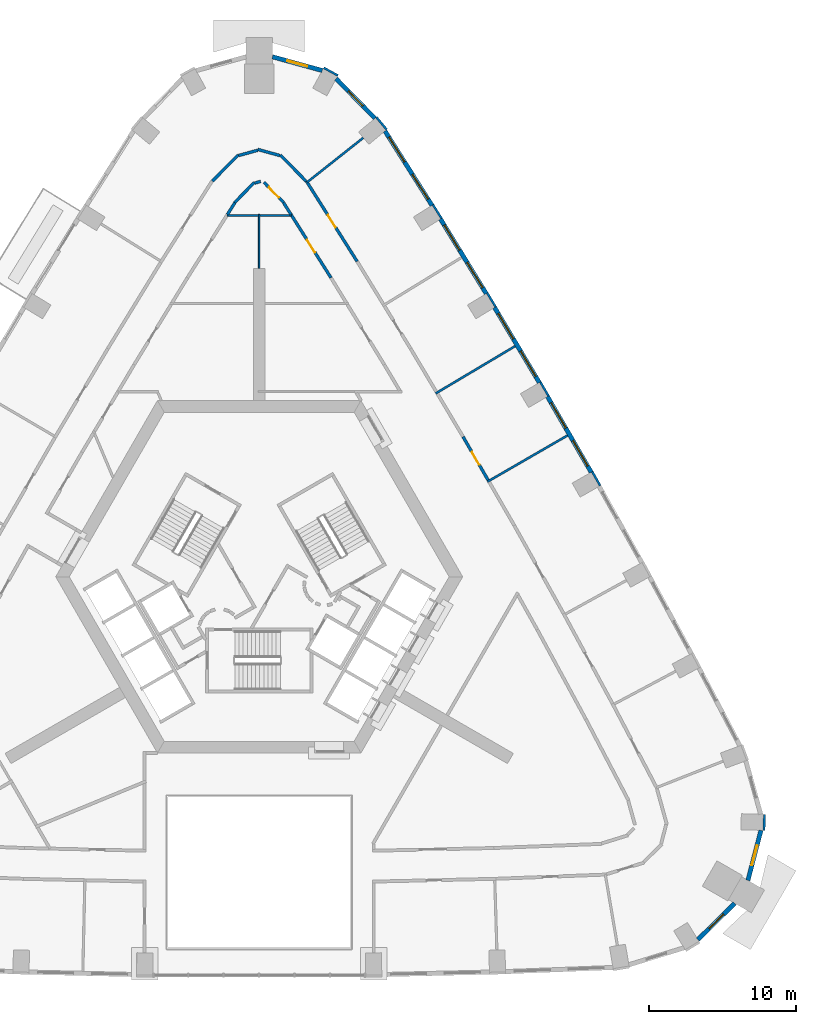
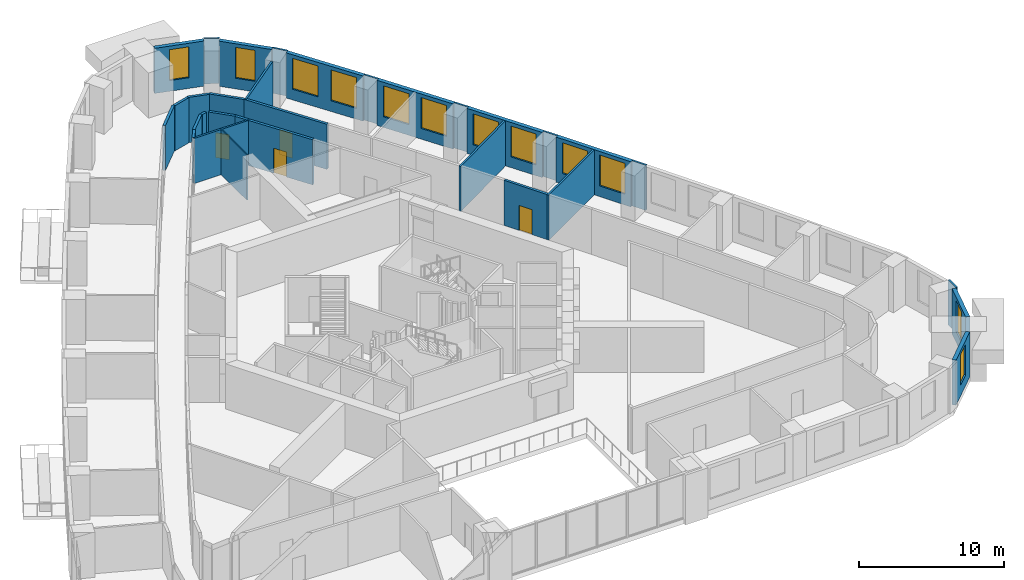
# One storey, part 10 of 14: 33 walls, 12 windows, 4 doors, 16 openings.
"""IFC4 building model written with IfcOpenShell, lengths in metres."""

import ifcopenshell
import ifcopenshell.guid

model = None  # the IFC model being written
_history = None  # IfcOwnerHistory: only IFC2X3 demands one
_inside = {}  # id of a spatial element -> (the spatial element, [elements in it])
_under = {}  # id of a project, library or spatial element -> (it, [spatial elements below it])
_declared = {}  # id of a project -> (the project, [libraries it declares])
_typed = {}  # id of a type object -> (the type object, [elements of that type])
_made_of = {}  # id of a material, layer set ... -> (it, [elements and type objects made of it])


def new_model(schema):
    """Start an empty IFC model of exactly this schema.

    Asked for "IFC4X3", IfcOpenShell would pick the latest addendum, in which some entities
    have other attributes; the version numbers below select the first issue.
    IFC2X3 requires an IfcOwnerHistory on every rooted entity: one is made here for all.
    """
    global model, _history
    if schema == "IFC4X3":
        model = ifcopenshell.file(schema_version=(4, 3, 0, 0))
    else:
        model = ifcopenshell.file(schema=schema)
    _inside.clear()
    _under.clear()
    _declared.clear()
    _typed.clear()
    _made_of.clear()
    _history = None
    if model.schema == "IFC2X3":
        org = make("IfcOrganization", Name="unknown")
        user = make(
            "IfcPersonAndOrganization",
            ThePerson=make("IfcPerson", FamilyName="unknown"),
            TheOrganization=org,
        )
        app = make(
            "IfcApplication",
            ApplicationDeveloper=org,
            Version="unknown",
            ApplicationFullName="unknown",
            ApplicationIdentifier="unknown",
        )
        _history = make(
            "IfcOwnerHistory",
            OwningUser=user,
            OwningApplication=app,
            ChangeAction="ADDED",
            CreationDate=0,
        )
    return model


def make(cls, **values):
    """One entity of the class cls with the attributes given. An attribute that is None is left unset."""
    return model.create_entity(
        cls, **{name: value for name, value in values.items() if value is not None}
    )


def rooted(cls, **values):
    """An entity with a GlobalId (a new one), such as an element, a storey or a relation."""
    return make(cls, GlobalId=ifcopenshell.guid.new(), OwnerHistory=_history, **values)


def si_unit(unit_type, name, prefix=None):
    """IfcSIUnit, for example si_unit("LENGTHUNIT", "METRE", prefix="MILLI")."""
    return make("IfcSIUnit", UnitType=unit_type, Prefix=prefix, Name=name)


def assignment(units):
    """IfcUnitAssignment: the units of a project."""
    return None if units is None else make("IfcUnitAssignment", Units=units)


def point(xyz):
    """IfcCartesianPoint."""
    return None if xyz is None else make("IfcCartesianPoint", Coordinates=xyz)


def direction(xyz):
    """IfcDirection."""
    return None if xyz is None else make("IfcDirection", DirectionRatios=xyz)


def frame(location, z_axis=None, x_axis=None):
    """IfcAxis2Placement3D, a coordinate frame: its origin and axes. An axis left out is left unset."""
    return make(
        "IfcAxis2Placement3D",
        Location=point(location),
        Axis=direction(z_axis),
        RefDirection=direction(x_axis),
    )


def frame_2d(location, x_axis=None):
    """IfcAxis2Placement2D, a coordinate frame in the plane: its origin and x axis."""
    return make(
        "IfcAxis2Placement2D", Location=point(location), RefDirection=direction(x_axis)
    )


def origin():
    """The frame at (0, 0, 0) with its axes left unset."""
    return frame((0.0, 0.0, 0.0))


def place(relative_to, where):
    """IfcLocalPlacement: puts the frame where relative to a parent placement (None: the world)."""
    return make(
        "IfcLocalPlacement", PlacementRelTo=relative_to, RelativePlacement=where
    )


def context(
    kind, dimensions, precision=None, world=None, true_north=None, identifier=None
):
    """IfcGeometricRepresentationContext, for example the 3D "Model" context."""
    return make(
        "IfcGeometricRepresentationContext",
        ContextIdentifier=identifier,
        ContextType=kind,
        CoordinateSpaceDimension=dimensions,
        Precision=precision,
        WorldCoordinateSystem=world,
        TrueNorth=true_north,
    )


def subcontext(parent, identifier, kind, view, scale=None):
    """IfcGeometricRepresentationSubContext, for example "Body" below "Model"."""
    return make(
        "IfcGeometricRepresentationSubContext",
        ContextIdentifier=identifier,
        ContextType=kind,
        ParentContext=parent,
        TargetScale=scale,
        TargetView=view,
    )


def project(units=None, contexts=None):
    """IfcProject with its units and contexts."""
    return rooted(
        "IfcProject",
        Name="project",
        RepresentationContexts=contexts,
        UnitsInContext=assignment(units),
    )


def spatial(cls, under=None, at=None, **own):
    """A site, building, storey or space (cls), placed at a placement, below another one or the project."""
    s = rooted(cls, ObjectPlacement=at, **own)
    if under is not None:
        _under.setdefault(under.id(), (under, []))[1].append(s)
    return s


def profile(cls, at=None, kind="AREA", **sizes):
    """A parametric profile (cls). Its sizes go by their IFC names, for example OverallWidth=200.0."""
    return make(cls, ProfileType=kind, Position=at, **sizes)


def rectangle(**sizes):
    """IfcRectangleProfileDef."""
    return profile("IfcRectangleProfileDef", **sizes)


def extrude(swept, where, along, depth):
    """IfcExtrudedAreaSolid: the profile swept, set in the frame where, extruded along a direction by depth."""
    return make(
        "IfcExtrudedAreaSolid",
        SweptArea=swept,
        Position=where,
        ExtrudedDirection=direction(along),
        Depth=depth,
    )


def shape(context_of_items, identifier, shape_type, items):
    """IfcShapeRepresentation: the items that make up one representation, for example the "Body"."""
    return make(
        "IfcShapeRepresentation",
        ContextOfItems=context_of_items,
        RepresentationIdentifier=identifier,
        RepresentationType=shape_type,
        Items=items,
    )


def material(Name=None, Category=None):
    """IfcMaterial."""
    return make("IfcMaterial", Name=Name, Category=Category)


def layer(
    of_material, thickness, ventilated=None, Name=None, Category=None, Priority=None
):
    """IfcMaterialLayer: one layer of a wall or slab, of a material (None: an air gap)."""
    return make(
        "IfcMaterialLayer",
        Material=of_material,
        LayerThickness=thickness,
        IsVentilated=ventilated,
        Name=Name,
        Category=Category,
        Priority=Priority,
    )


def layer_set(layers, Name=None):
    """IfcMaterialLayerSet."""
    return make("IfcMaterialLayerSet", MaterialLayers=layers, LayerSetName=Name)


def made_of(thing, what):
    """Note that an element or type object is made of a material, layer set ...; save() writes the relation."""
    if what is not None:
        _made_of.setdefault(what.id(), (what, []))[1].append(thing)
    return thing


def type_object(cls, material=None, **own):
    """A type object (cls), such as IfcWallType, which elements share."""
    return made_of(rooted(cls, **own), material)


def element(
    cls,
    number,
    at=None,
    inside=None,
    cuts=None,
    type_object=None,
    material=None,
    context=None,
    identifier="Body",
    shape_type=None,
    held_by="IfcProductDefinitionShape",
    body=None,
    shapes=None,
    **own,
):
    """One element of the class cls, such as IfcWall. Its Tag is "e" and its number.

    at: its placement. inside: the storey or other place that contains it. cuts: it is an
    opening in that element (IfcRelVoidsElement). A single representation is given by context,
    identifier, shape_type and body (its items); several are given by shapes. held_by: the class
    of the entity that holds the representations. save() writes the other relations.
    """
    e = rooted(cls, Tag="e%d" % number, ObjectPlacement=at, **own)
    if body is not None:
        shapes = [shape(context, identifier, shape_type, body)]
    if shapes is not None:
        e.Representation = make(held_by, Representations=shapes)
    if inside is not None:
        _inside.setdefault(inside.id(), (inside, []))[1].append(e)
    if cuts is not None:
        rooted(
            "IfcRelVoidsElement", RelatingBuildingElement=cuts, RelatedOpeningElement=e
        )
    if type_object is not None:
        _typed.setdefault(type_object.id(), (type_object, []))[1].append(e)
    return made_of(e, material)


def fill(opening, filler):
    """IfcRelFillsElement: the door or window that sits in an opening."""
    return rooted(
        "IfcRelFillsElement",
        RelatingOpeningElement=opening,
        RelatedBuildingElement=filler,
    )


def aggregate(whole, parts):
    """IfcRelAggregates: a whole, such as a stair, and the parts it consists of."""
    return rooted("IfcRelAggregates", RelatingObject=whole, RelatedObjects=parts)


def save(model, path):
    """Write the relations noted so far, then the file.

    IfcRelAggregates (storeys below a building ...), IfcRelContainedInSpatialStructure (elements
    in a storey), IfcRelDefinesByType, IfcRelAssociatesMaterial and IfcRelDeclares: one each for
    every whole, place, type object, material and project.
    """
    for whole, parts in _under.values():
        aggregate(whole, parts)
    for where, things in _inside.values():
        rooted(
            "IfcRelContainedInSpatialStructure",
            RelatedElements=things,
            RelatingStructure=where,
        )
    for kind, things in _typed.values():
        rooted("IfcRelDefinesByType", RelatedObjects=things, RelatingType=kind)
    for what, things in _made_of.values():
        rooted("IfcRelAssociatesMaterial", RelatedObjects=things, RelatingMaterial=what)
    for by, libraries in _declared.values():
        rooted("IfcRelDeclares", RelatingContext=by, RelatedDefinitions=libraries)
    model.write(path)


model = new_model("IFC4")

# Units and contexts
model_context = context("Model", 3, precision=1e-05, world=origin(), true_north=direction((0.0, 1.0)))
body_context = subcontext(model_context, "Body", "Model", "MODEL_VIEW")
ifc_project = project(units=[si_unit("LENGTHUNIT", "METRE"), si_unit("AREAUNIT", "SQUARE_METRE"), si_unit("VOLUMEUNIT", "CUBIC_METRE"), si_unit("PLANEANGLEUNIT", "RADIAN"), si_unit("MASSUNIT", "GRAM", prefix="KILO")], contexts=[model_context])

# Site, building, storey
site_placement = place(None, origin())
site = spatial("IfcSite", under=ifc_project, at=site_placement, CompositionType="ELEMENT")
building_placement = place(site_placement, origin())
building = spatial("IfcBuilding", under=site, at=building_placement, Name="Entoto Arch Interchange Tower", CompositionType="ELEMENT")
storey_placement = place(building_placement, frame((0.0, 0.0, 159.199951171875)))
storey = spatial("IfcBuildingStorey", under=building, at=storey_placement, Name="L35", CompositionType="ELEMENT", Elevation=159.199951171875)

# Walls
ifc_material_1 = material(Name="Gypsum board partition on steel studs", Category="steel")
ifc_layer_1 = layer(ifc_material_1, 0.10009765625)
ifc_layer_set_1 = layer_set([ifc_layer_1], Name="Gypsum board partition on steel studs")
wall_type_1 = type_object("IfcWallType", Name="PARTITION 100", PredefinedType="PARTITIONING", material=ifc_layer_set_1)
wall_1_placement = place(storey_placement, frame((0.0, 23.5, 0.0), z_axis=(0.0, 0.0, 1.0), x_axis=(0.0, 1.0, 0.0)))
element("IfcWall", 1, at=wall_1_placement, inside=storey, type_object=wall_type_1, Name="wall:L35:p115", PredefinedType="PARTITIONING", context=body_context, shape_type="SweptSolid", body=[
    extrude(rectangle(XDim=3.675048828125, YDim=0.10009765625, at=frame_2d((1.83740234375, 0.0))), origin(), (0.0, 0.0, 1.0), 3.800048828125),
])
ifc_layer_2 = layer(ifc_material_1, 0.14990234375)
ifc_layer_set_2 = layer_set([ifc_layer_2], Name="Gypsum board partition on steel studs")
wall_type_2 = type_object("IfcWallType", Name="PARTITION 150", PredefinedType="PARTITIONING", material=ifc_layer_set_2)
for number, where, z_axis, x_axis, name in (
    (2, (0.050048828125, 27.10009765625, 0.0), (0.0, 0.0, 1.0), (1.0, 0.0, 0.0), "wall:L35:p116"),
    (3, (-2.2080078125, 27.10009765625, 0.0), (0.0, 0.0, 1.0), (1.0, 0.0, 0.0), "wall:L35:p117"),
):
    element("IfcWall", number, at=place(storey_placement, frame(where, z_axis=z_axis, x_axis=x_axis)), inside=storey, type_object=wall_type_2, Name=name, PredefinedType="PARTITIONING", context=body_context, shape_type="SweptSolid", body=[
        extrude(rectangle(XDim=2.157958984375, YDim=0.14990234375, at=frame_2d((1.0791015625, 0.0))), origin(), (0.0, 0.0, 1.0), 3.800048828125),
    ])
wall_2_placement = place(storey_placement, frame((15.534912109375, 8.968994140625, 0.0), z_axis=(0.0, 0.0, 1.0), x_axis=(0.865951968193, 0.500127172609, 0.0)))
element("IfcWall", 4, at=wall_2_placement, inside=storey, type_object=wall_type_2, Name="wall:L35:p128", PredefinedType="PARTITIONING", context=body_context, shape_type="SweptSolid", body=[
    extrude(rectangle(XDim=6.300537109375, YDim=0.14990234375, at=frame_2d((3.150390625, 0.0))), origin(), (0.0, 0.0, 1.0), 3.800048828125),
])
wall_3_placement = place(storey_placement, frame((12.010009765625, 14.98095703125, 0.0), z_axis=(0.0, 0.0, 1.0), x_axis=(0.859343975102, 0.51139801765, 0.0)))
element("IfcWall", 5, at=wall_3_placement, inside=storey, type_object=wall_type_2, Name="wall:L35:p129", PredefinedType="PARTITIONING", context=body_context, shape_type="SweptSolid", body=[
    extrude(rectangle(XDim=6.30029296875, YDim=0.14990234375, at=frame_2d((3.150146484375, 0.0))), origin(), (0.0, 0.0, 1.0), 3.800048828125),
])
wall_4_placement = place(storey_placement, frame((3.261962890625, 29.362060546875, 0.0), z_axis=(0.0, 0.0, 1.0), x_axis=(0.78403972141, 0.620710653406, 0.0)))
element("IfcWall", 6, at=wall_4_placement, inside=storey, type_object=wall_type_2, Name="wall:L35:p131", PredefinedType="PARTITIONING", context=body_context, shape_type="SweptSolid", body=[
    extrude(rectangle(XDim=4.866943359375, YDim=0.14990234375, at=frame_2d((2.43359375, 0.0))), origin(), (0.0, 0.0, 1.0), 3.800048828125),
])

# Wall, opening, door
ifc_layer_3 = layer(ifc_material_1, 0.199951171875)
ifc_layer_set_3 = layer_set([ifc_layer_3], Name="Gypsum board partition on steel studs")
wall_type_3 = type_object("IfcWallType", Name="PARTITION 200", PredefinedType="PARTITIONING", material=ifc_layer_set_3)
wall_5_placement = place(storey_placement, frame((4.886962890625, 22.860107421875, 0.0), z_axis=(0.0, 0.0, 1.0), x_axis=(-0.534315942524, 0.845284847589, 0.0)))
wall_5 = element("IfcWall", 7, at=wall_5_placement, inside=storey, type_object=wall_type_3, Name="wall:L35:p012", PredefinedType="PARTITIONING", context=body_context, shape_type="SweptSolid", body=[
    extrude(rectangle(XDim=5.090576171875, YDim=0.199951171875, at=frame_2d((2.54541015625, 0.0))), origin(), (0.0, 0.0, 1.0), 3.800048828125),
])
opening_1_placement = place(wall_5_placement, frame((2.044921875, 0.0, 0.0)))
opening_1 = element("IfcOpeningElement", 8, at=opening_1_placement, cuts=wall_5, Name="Opening L35-D21", PredefinedType="OPENING", context=body_context, shape_type="SweptSolid", body=[
    extrude(rectangle(XDim=1.0, YDim=2.10009765625, at=frame_2d((0.5, 1.050048828125))), frame((0.0, 0.10986328125, 0.0), z_axis=(0.0, -1.0, 0.0), x_axis=(1.0, 0.0, 0.0)), (0.0, 0.0, 1.0), 0.219970703125),
])
ifc_material_2 = material(Name="Timber door leaf in Steel S235 frame", Category="steel")
door_type = type_object("IfcDoorType", Name="DOOR DS-10 1000x2100", OperationType="SINGLE_SWING_LEFT", PredefinedType="DOOR", material=ifc_material_2)
door_1_placement = place(opening_1_placement, origin())
door_1 = element("IfcDoor", 9, at=door_1_placement, inside=storey, type_object=door_type, Name="door:L35:21", OperationType="SINGLE_SWING_LEFT", OverallHeight=2.10009765625, OverallWidth=1.0, PredefinedType="DOOR", context=body_context, shape_type="SweptSolid", body=[
    extrude(rectangle(XDim=1.0, YDim=2.10009765625, at=frame_2d((0.5, 1.050048828125))), frame((0.0, 0.02490234375, 0.0), z_axis=(0.0, -1.0, 0.0), x_axis=(1.0, 0.0, 0.0)), (0.0, 0.0, 1.0), 0.050048828125),
])
fill(opening_1, door_1)

# Wall
wall_6_placement = place(storey_placement, frame((2.1669921875, 27.1630859375, 0.0), z_axis=(0.0, 0.0, 1.0), x_axis=(-0.533944629884, 0.845519445204, 0.0)))
element("IfcWall", 10, at=wall_6_placement, inside=storey, type_object=wall_type_3, Name="wall:L35:p015", PredefinedType="PARTITIONING", context=body_context, shape_type="SweptSolid", body=[
    extrude(rectangle(XDim=0.94970703125, YDim=0.199951171875, at=frame_2d((0.474853515625, 0.0))), origin(), (0.0, 0.0, 1.0), 3.800048828125),
])

# Wall, opening, door
wall_7_placement = place(storey_placement, frame((1.677001953125, 27.97900390625, 0.0), z_axis=(0.0, 0.0, 1.0), x_axis=(-0.700357727804, 0.713792023705, 0.0)))
wall_7 = element("IfcWall", 11, at=wall_7_placement, inside=storey, type_object=wall_type_3, Name="wall:L35:p016", PredefinedType="PARTITIONING", context=body_context, shape_type="SweptSolid", body=[
    extrude(rectangle(XDim=1.92626953125, YDim=0.199951171875, at=frame_2d((0.963134765625, 0.0))), origin(), (0.0, 0.0, 1.0), 3.800048828125),
])
opening_2_placement = place(wall_7_placement, frame((0.462890625, 0.0, 0.0)))
opening_2 = element("IfcOpeningElement", 12, at=opening_2_placement, cuts=wall_7, Name="Opening L35-D23", PredefinedType="OPENING", context=body_context, shape_type="SweptSolid", body=[
    extrude(rectangle(XDim=1.0, YDim=2.10009765625, at=frame_2d((0.5, 1.050048828125))), frame((0.0, 0.10986328125, 0.0), z_axis=(0.0, -1.0, 0.0), x_axis=(1.0, 0.0, 0.0)), (0.0, 0.0, 1.0), 0.219970703125),
])
door_2_placement = place(opening_2_placement, origin())
door_2 = element("IfcDoor", 13, at=door_2_placement, inside=storey, type_object=door_type, Name="door:L35:23", OperationType="SINGLE_SWING_LEFT", OverallHeight=2.10009765625, OverallWidth=1.0, PredefinedType="DOOR", context=body_context, shape_type="SweptSolid", body=[
    extrude(rectangle(XDim=1.0, YDim=2.10009765625, at=frame_2d((0.5, 1.050048828125))), frame((0.0, 0.02490234375, 0.0), z_axis=(0.0, -1.0, 0.0), x_axis=(1.0, 0.0, 0.0)), (0.0, 0.0, 1.0), 0.050048828125),
])
fill(opening_2, door_2)

# Walls
wall_8_placement = place(storey_placement, frame((0.095947265625, 29.4189453125, 0.0), z_axis=(0.0, 0.0, 1.0), x_axis=(-0.963940323387, -0.266118494187, 0.0)))
element("IfcWall", 14, at=wall_8_placement, inside=storey, type_object=wall_type_3, Name="wall:L35:p017", PredefinedType="PARTITIONING", context=body_context, shape_type="SweptSolid", body=[
    extrude(rectangle(XDim=0.412841796875, YDim=0.199951171875, at=frame_2d((0.20654296875, 0.0))), origin(), (0.0, 0.0, 1.0), 3.800048828125),
])
wall_9_placement = place(storey_placement, frame((-0.327880859375, 29.35400390625, 0.0), z_axis=(0.0, 0.0, 1.0), x_axis=(-0.700357727804, -0.713792023705, 0.0)))
element("IfcWall", 15, at=wall_9_placement, inside=storey, type_object=wall_type_3, Name="wall:L35:p018", PredefinedType="PARTITIONING", context=body_context, shape_type="SweptSolid", body=[
    extrude(rectangle(XDim=1.92626953125, YDim=0.199951171875, at=frame_2d((0.963134765625, 0.0))), origin(), (0.0, 0.0, 1.0), 3.800048828125),
])
wall_10_placement = place(storey_placement, frame((-1.659912109375, 27.966064453125, 0.0), z_axis=(0.0, 0.0, 1.0), x_axis=(-0.533944629884, -0.845519445204, 0.0)))
element("IfcWall", 16, at=wall_10_placement, inside=storey, type_object=wall_type_3, Name="wall:L35:p019", PredefinedType="PARTITIONING", context=body_context, shape_type="SweptSolid", body=[
    extrude(rectangle(XDim=0.94970703125, YDim=0.199951171875, at=frame_2d((0.474853515625, 0.0))), origin(), (0.0, 0.0, 1.0), 3.800048828125),
])

# Wall, opening, door
wall_11_placement = place(storey_placement, frame((13.87890625, 12.037109375, 0.0), z_axis=(0.0, 0.0, 1.0), x_axis=(0.50001992892, -0.866013897511, 0.0)))
wall_11 = element("IfcWall", 17, at=wall_11_placement, inside=storey, type_object=wall_type_3, Name="wall:L35:p051", PredefinedType="PARTITIONING", context=body_context, shape_type="SweptSolid", body=[
    extrude(rectangle(XDim=3.409912109375, YDim=0.199951171875, at=frame_2d((1.705078125, 0.0))), origin(), (0.0, 0.0, 1.0), 3.800048828125),
])
opening_3_placement = place(wall_11_placement, frame((1.205078125, 0.0, 0.0)))
opening_3 = element("IfcOpeningElement", 18, at=opening_3_placement, cuts=wall_11, Name="Opening L35-D07", PredefinedType="OPENING", context=body_context, shape_type="SweptSolid", body=[
    extrude(rectangle(XDim=1.0, YDim=2.10009765625, at=frame_2d((0.5, 1.050048828125))), frame((0.0, 0.10986328125, 0.0), z_axis=(0.0, -1.0, 0.0), x_axis=(1.0, 0.0, 0.0)), (0.0, 0.0, 1.0), 0.219970703125),
])
door_3_placement = place(opening_3_placement, origin())
door_3 = element("IfcDoor", 19, at=door_3_placement, inside=storey, type_object=door_type, Name="door:L35:07", OperationType="SINGLE_SWING_LEFT", OverallHeight=2.10009765625, OverallWidth=1.0, PredefinedType="DOOR", context=body_context, shape_type="SweptSolid", body=[
    extrude(rectangle(XDim=1.0, YDim=2.10009765625, at=frame_2d((0.5, 1.050048828125))), frame((0.0, 0.02490234375, 0.0), z_axis=(0.0, -1.0, 0.0), x_axis=(1.0, 0.0, 0.0)), (0.0, 0.0, 1.0), 0.050048828125),
])
fill(opening_3, door_3)

wall_12_placement = place(storey_placement, frame((3.208984375, 29.446044921875, 0.0), z_axis=(0.0, 0.0, 1.0), x_axis=(0.534253865926, -0.845324083854, 0.0)))
wall_12 = element("IfcWall", 20, at=wall_12_placement, inside=storey, type_object=wall_type_3, Name="wall:L35:p054", PredefinedType="PARTITIONING", context=body_context, shape_type="SweptSolid", body=[
    extrude(rectangle(XDim=6.47802734375, YDim=0.199951171875, at=frame_2d((3.239013671875, 0.0))), origin(), (0.0, 0.0, 1.0), 3.800048828125),
])
opening_4_placement = place(wall_12_placement, frame((2.739013671875, 0.0, 0.0)))
opening_4 = element("IfcOpeningElement", 21, at=opening_4_placement, cuts=wall_12, Name="Opening L35-D09", PredefinedType="OPENING", context=body_context, shape_type="SweptSolid", body=[
    extrude(rectangle(XDim=1.0, YDim=2.10009765625, at=frame_2d((0.5, 1.050048828125))), frame((0.0, 0.10986328125, 0.0), z_axis=(0.0, -1.0, 0.0), x_axis=(1.0, 0.0, 0.0)), (0.0, 0.0, 1.0), 0.219970703125),
])
door_4_placement = place(opening_4_placement, origin())
door_4 = element("IfcDoor", 22, at=door_4_placement, inside=storey, type_object=door_type, Name="door:L35:09", OperationType="SINGLE_SWING_LEFT", OverallHeight=2.10009765625, OverallWidth=1.0, PredefinedType="DOOR", context=body_context, shape_type="SweptSolid", body=[
    extrude(rectangle(XDim=1.0, YDim=2.10009765625, at=frame_2d((0.5, 1.050048828125))), frame((0.0, 0.02490234375, 0.0), z_axis=(0.0, -1.0, 0.0), x_axis=(1.0, 0.0, 0.0)), (0.0, 0.0, 1.0), 0.050048828125),
])
fill(opening_4, door_4)

# Walls
wall_13_placement = place(storey_placement, frame((-3.19189453125, 29.43310546875, 0.0), z_axis=(0.0, 0.0, 1.0), x_axis=(0.700326668838, 0.713822496783, 0.0)))
element("IfcWall", 23, at=wall_13_placement, inside=storey, type_object=wall_type_3, Name="wall:L35:p057", PredefinedType="PARTITIONING", context=body_context, shape_type="SweptSolid", body=[
    extrude(rectangle(XDim=2.514404296875, YDim=0.199951171875, at=frame_2d((1.25732421875, 0.0))), origin(), (0.0, 0.0, 1.0), 3.800048828125),
])
wall_14_placement = place(storey_placement, frame((-1.404052734375, 31.18310546875, 0.0), z_axis=(0.0, 0.0, 1.0), x_axis=(0.963995798992, 0.265917467508, 0.0)))
element("IfcWall", 24, at=wall_14_placement, inside=storey, type_object=wall_type_3, Name="wall:L35:p058", PredefinedType="PARTITIONING", context=body_context, shape_type="SweptSolid", body=[
    extrude(rectangle(XDim=1.35693359375, YDim=0.199951171875, at=frame_2d((0.678466796875, 0.0))), origin(), (0.0, 0.0, 1.0), 3.800048828125),
])
wall_15_placement = place(storey_placement, frame((-0.095947265625, 31.596923828125, 0.0), z_axis=(0.0, 0.0, 1.0), x_axis=(0.963988457226, -0.265944081217, 0.0)))
element("IfcWall", 25, at=wall_15_placement, inside=storey, type_object=wall_type_3, Name="wall:L35:p059", PredefinedType="PARTITIONING", context=body_context, shape_type="SweptSolid", body=[
    extrude(rectangle(XDim=1.55615234375, YDim=0.199951171875, at=frame_2d((0.778076171875, 0.0))), origin(), (0.0, 0.0, 1.0), 3.800048828125),
])
wall_16_placement = place(storey_placement, frame((1.430908203125, 31.22802734375, 0.0), z_axis=(0.0, 0.0, 1.0), x_axis=(0.700326668838, -0.713822496783, 0.0)))
element("IfcWall", 26, at=wall_16_placement, inside=storey, type_object=wall_type_3, Name="wall:L35:p060", PredefinedType="PARTITIONING", context=body_context, shape_type="SweptSolid", body=[
    extrude(rectangle(XDim=2.514404296875, YDim=0.199951171875, at=frame_2d((1.25732421875, 0.0))), origin(), (0.0, 0.0, 1.0), 3.800048828125),
])

# Wall, opening, window
ifc_material_3 = material(Name="Welded tuff (ignimbrite) cladding, warm buff", Category="masonry")
ifc_layer_4 = layer(ifc_material_3, 0.300048828125)
ifc_layer_set_4 = layer_set([ifc_layer_4], Name="Welded tuff (ignimbrite) cladding, warm buff")
wall_type_4 = type_object("IfcWallType", Name="STONE INFILL WALL 300", PredefinedType="STANDARD", material=ifc_layer_set_4)
wall_17_placement = place(storey_placement, frame((29.8720703125, -22.20703125, 0.0), z_axis=(0.0, 0.0, 1.0), x_axis=(0.712043314899, 0.702135540838, 0.0)))
wall_17 = element("IfcWall", 27, at=wall_17_placement, inside=storey, type_object=wall_type_4, Name="Facade wall SE-02 L35", PredefinedType="STANDARD", context=body_context, shape_type="SweptSolid", body=[
    extrude(rectangle(XDim=3.523681640625, YDim=0.300048828125, at=frame_2d((1.76171875, 0.0))), origin(), (0.0, 0.0, 1.0), 3.800048828125),
])
opening_5_placement = place(wall_17_placement, frame((1.06201171875, 0.0, 0.89990234375)))
opening_5 = element("IfcOpeningElement", 28, at=opening_5_placement, cuts=wall_17, Name="Opening WO-B", PredefinedType="OPENING", context=body_context, shape_type="SweptSolid", body=[
    extrude(rectangle(XDim=1.39990234375, YDim=2.60009765625, at=frame_2d((0.699951171875, 1.300048828125))), frame((0.0, 0.16015625, 0.0), z_axis=(0.0, -1.0, 0.0), x_axis=(1.0, 0.0, 0.0)), (0.0, 0.0, 1.0), 0.320068359375),
])
ifc_material_4 = material(Name="Clear glass, low-e double glazed", Category="glass")
window_type_1 = type_object("IfcWindowType", Name="WINDOW WO-B 1400x2600", PartitioningType="DOUBLE_PANEL_VERTICAL", PredefinedType="WINDOW", material=ifc_material_4)
window_1_placement = place(opening_5_placement, origin())
window_1 = element("IfcWindow", 29, at=window_1_placement, inside=storey, type_object=window_type_1, Name="Window WO-B SE-02 L35", OverallHeight=2.60009765625, OverallWidth=1.39990234375, PartitioningType="SINGLE_PANEL", PredefinedType="WINDOW", context=body_context, shape_type="SweptSolid", body=[
    extrude(rectangle(XDim=1.39990234375, YDim=2.60009765625, at=frame_2d((0.699951171875, 1.300048828125))), frame((0.0, 0.030029296875, 0.0), z_axis=(0.0, -1.0, 0.0), x_axis=(1.0, 0.0, 0.0)), (0.0, 0.0, 1.0), 0.06005859375),
])
fill(opening_5, window_1)

wall_18_placement = place(storey_placement, frame((33.280029296875, -18.176025390625, 0.0), z_axis=(0.0, 0.0, 1.0), x_axis=(0.252255494168, 0.967660666588, 0.0)))
wall_18 = element("IfcWall", 30, at=wall_18_placement, inside=storey, type_object=wall_type_4, Name="Facade wall SE-03 L35", PredefinedType="STANDARD", context=body_context, shape_type="SweptSolid", body=[
    extrude(rectangle(XDim=3.52392578125, YDim=0.300048828125, at=frame_2d((1.761962890625, 0.0))), origin(), (0.0, 0.0, 1.0), 3.800048828125),
])
opening_6_placement = place(wall_18_placement, frame((1.06201171875, 0.0, 0.89990234375)))
opening_6 = element("IfcOpeningElement", 31, at=opening_6_placement, cuts=wall_18, Name="Opening WO-B", PredefinedType="OPENING", context=body_context, shape_type="SweptSolid", body=[
    extrude(rectangle(XDim=1.39990234375, YDim=2.60009765625, at=frame_2d((0.699951171875, 1.300048828125))), frame((0.0, 0.16015625, 0.0), z_axis=(0.0, -1.0, 0.0), x_axis=(1.0, 0.0, 0.0)), (0.0, 0.0, 1.0), 0.320068359375),
])
window_2_placement = place(opening_6_placement, origin())
window_2 = element("IfcWindow", 32, at=window_2_placement, inside=storey, type_object=window_type_1, Name="Window WO-B SE-03 L35", OverallHeight=2.60009765625, OverallWidth=1.39990234375, PartitioningType="SINGLE_PANEL", PredefinedType="WINDOW", context=body_context, shape_type="SweptSolid", body=[
    extrude(rectangle(XDim=1.39990234375, YDim=2.60009765625, at=frame_2d((0.699951171875, 1.300048828125))), frame((0.0, 0.030029296875, 0.0), z_axis=(0.0, -1.0, 0.0), x_axis=(1.0, 0.0, 0.0)), (0.0, 0.0, 1.0), 0.06005859375),
])
fill(opening_6, window_2)

# Wall, openings, windows
wall_19_placement = place(storey_placement, frame((22.610107421875, 9.614990234375, 0.0), z_axis=(0.0, 0.0, 1.0), x_axis=(-0.500061823953, 0.865989706766, 0.0)))
wall_19 = element("IfcWall", 33, at=wall_19_placement, inside=storey, type_object=wall_type_4, Name="Facade wall NE-04 L35", PredefinedType="STANDARD", context=body_context, shape_type="SweptSolid", body=[
    extrude(rectangle(XDim=5.957275390625, YDim=0.300048828125, at=frame_2d((2.978515625, 0.0))), origin(), (0.0, 0.0, 1.0), 3.800048828125),
])
opening_7_placement = place(wall_19_placement, frame((0.489013671875, 0.0, 0.89990234375)))
opening_7 = element("IfcOpeningElement", 34, at=opening_7_placement, cuts=wall_19, Name="Opening WO-C", PredefinedType="OPENING", context=body_context, shape_type="SweptSolid", body=[
    extrude(rectangle(XDim=2.0, YDim=2.60009765625, at=frame_2d((1.0, 1.300048828125))), frame((0.0, 0.16015625, 0.0), z_axis=(0.0, -1.0, 0.0), x_axis=(1.0, 0.0, 0.0)), (0.0, 0.0, 1.0), 0.320068359375),
])
opening_8_placement = place(wall_19_placement, frame((3.468017578125, 0.0, 0.89990234375)))
opening_8 = element("IfcOpeningElement", 35, at=opening_8_placement, cuts=wall_19, Name="Opening WO-C", PredefinedType="OPENING", context=body_context, shape_type="SweptSolid", body=[
    extrude(rectangle(XDim=2.0, YDim=2.60009765625, at=frame_2d((1.0, 1.300048828125))), frame((0.0, 0.16015625, 0.0), z_axis=(0.0, -1.0, 0.0), x_axis=(1.0, 0.0, 0.0)), (0.0, 0.0, 1.0), 0.320068359375),
])
window_type_2 = type_object("IfcWindowType", Name="WINDOW WO-C 2000x2600", PartitioningType="DOUBLE_PANEL_VERTICAL", PredefinedType="WINDOW", material=ifc_material_4)
window_3_placement = place(opening_7_placement, origin())
window_3 = element("IfcWindow", 36, at=window_3_placement, inside=storey, type_object=window_type_2, Name="Window WO-C NE-04 L35", OverallHeight=2.60009765625, OverallWidth=2.0, PartitioningType="SINGLE_PANEL", PredefinedType="WINDOW", context=body_context, shape_type="SweptSolid", body=[
    extrude(rectangle(XDim=2.0, YDim=2.60009765625, at=frame_2d((1.0, 1.300048828125))), frame((0.0, 0.030029296875, 0.0), z_axis=(0.0, -1.0, 0.0), x_axis=(1.0, 0.0, 0.0)), (0.0, 0.0, 1.0), 0.06005859375),
])
fill(opening_7, window_3)
window_4_placement = place(opening_8_placement, origin())
window_4 = element("IfcWindow", 37, at=window_4_placement, inside=storey, type_object=window_type_2, Name="Window WO-C NE-04 L35", OverallHeight=2.60009765625, OverallWidth=2.0, PartitioningType="SINGLE_PANEL", PredefinedType="WINDOW", context=body_context, shape_type="SweptSolid", body=[
    extrude(rectangle(XDim=2.0, YDim=2.60009765625, at=frame_2d((1.0, 1.300048828125))), frame((0.0, 0.030029296875, 0.0), z_axis=(0.0, -1.0, 0.0), x_axis=(1.0, 0.0, 0.0)), (0.0, 0.0, 1.0), 0.06005859375),
])
fill(opening_8, window_4)

wall_20_placement = place(storey_placement, frame((19.075927734375, 15.720947265625, 0.0), z_axis=(0.0, 0.0, 1.0), x_axis=(-0.511455040009, 0.859310038374, 0.0)))
wall_20 = element("IfcWall", 38, at=wall_20_placement, inside=storey, type_object=wall_type_4, Name="Facade wall NE-05 L35", PredefinedType="STANDARD", context=body_context, shape_type="SweptSolid", body=[
    extrude(rectangle(XDim=5.957275390625, YDim=0.300048828125, at=frame_2d((2.978515625, 0.0))), origin(), (0.0, 0.0, 1.0), 3.800048828125),
])
opening_9_placement = place(wall_20_placement, frame((0.489013671875, 0.0, 0.89990234375)))
opening_9 = element("IfcOpeningElement", 39, at=opening_9_placement, cuts=wall_20, Name="Opening WO-C", PredefinedType="OPENING", context=body_context, shape_type="SweptSolid", body=[
    extrude(rectangle(XDim=2.0, YDim=2.60009765625, at=frame_2d((1.0, 1.300048828125))), frame((0.0, 0.16015625, 0.0), z_axis=(0.0, -1.0, 0.0), x_axis=(1.0, 0.0, 0.0)), (0.0, 0.0, 1.0), 0.320068359375),
])
opening_10_placement = place(wall_20_placement, frame((3.468017578125, 0.0, 0.89990234375)))
opening_10 = element("IfcOpeningElement", 40, at=opening_10_placement, cuts=wall_20, Name="Opening WO-C", PredefinedType="OPENING", context=body_context, shape_type="SweptSolid", body=[
    extrude(rectangle(XDim=2.0, YDim=2.60009765625, at=frame_2d((1.0, 1.300048828125))), frame((0.0, 0.16015625, 0.0), z_axis=(0.0, -1.0, 0.0), x_axis=(1.0, 0.0, 0.0)), (0.0, 0.0, 1.0), 0.320068359375),
])
window_5_placement = place(opening_9_placement, origin())
window_5 = element("IfcWindow", 41, at=window_5_placement, inside=storey, type_object=window_type_2, Name="Window WO-C NE-05 L35", OverallHeight=2.60009765625, OverallWidth=2.0, PartitioningType="SINGLE_PANEL", PredefinedType="WINDOW", context=body_context, shape_type="SweptSolid", body=[
    extrude(rectangle(XDim=2.0, YDim=2.60009765625, at=frame_2d((1.0, 1.300048828125))), frame((0.0, 0.030029296875, 0.0), z_axis=(0.0, -1.0, 0.0), x_axis=(1.0, 0.0, 0.0)), (0.0, 0.0, 1.0), 0.06005859375),
])
fill(opening_9, window_5)
window_6_placement = place(opening_10_placement, origin())
window_6 = element("IfcWindow", 42, at=window_6_placement, inside=storey, type_object=window_type_2, Name="Window WO-C NE-05 L35", OverallHeight=2.60009765625, OverallWidth=2.0, PartitioningType="SINGLE_PANEL", PredefinedType="WINDOW", context=body_context, shape_type="SweptSolid", body=[
    extrude(rectangle(XDim=2.0, YDim=2.60009765625, at=frame_2d((1.0, 1.300048828125))), frame((0.0, 0.030029296875, 0.0), z_axis=(0.0, -1.0, 0.0), x_axis=(1.0, 0.0, 0.0)), (0.0, 0.0, 1.0), 0.06005859375),
])
fill(opening_10, window_6)

wall_21_placement = place(storey_placement, frame((15.4619140625, 21.779052734375, 0.0), z_axis=(0.0, 0.0, 1.0), x_axis=(-0.522704272908, 0.852514072074, 0.0)))
wall_21 = element("IfcWall", 43, at=wall_21_placement, inside=storey, type_object=wall_type_4, Name="Facade wall NE-06 L35", PredefinedType="STANDARD", context=body_context, shape_type="SweptSolid", body=[
    extrude(rectangle(XDim=5.95751953125, YDim=0.300048828125, at=frame_2d((2.978759765625, 0.0))), origin(), (0.0, 0.0, 1.0), 3.800048828125),
])
opening_11_placement = place(wall_21_placement, frame((0.489013671875, 0.0, 0.89990234375)))
opening_11 = element("IfcOpeningElement", 44, at=opening_11_placement, cuts=wall_21, Name="Opening WO-C", PredefinedType="OPENING", context=body_context, shape_type="SweptSolid", body=[
    extrude(rectangle(XDim=2.0, YDim=2.60009765625, at=frame_2d((1.0, 1.300048828125))), frame((0.0, 0.16015625, 0.0), z_axis=(0.0, -1.0, 0.0), x_axis=(1.0, 0.0, 0.0)), (0.0, 0.0, 1.0), 0.320068359375),
])
opening_12_placement = place(wall_21_placement, frame((3.468017578125, 0.0, 0.89990234375)))
opening_12 = element("IfcOpeningElement", 45, at=opening_12_placement, cuts=wall_21, Name="Opening WO-C", PredefinedType="OPENING", context=body_context, shape_type="SweptSolid", body=[
    extrude(rectangle(XDim=2.0, YDim=2.60009765625, at=frame_2d((1.0, 1.300048828125))), frame((0.0, 0.16015625, 0.0), z_axis=(0.0, -1.0, 0.0), x_axis=(1.0, 0.0, 0.0)), (0.0, 0.0, 1.0), 0.320068359375),
])
window_7_placement = place(opening_11_placement, origin())
window_7 = element("IfcWindow", 46, at=window_7_placement, inside=storey, type_object=window_type_2, Name="Window WO-C NE-06 L35", OverallHeight=2.60009765625, OverallWidth=2.0, PartitioningType="SINGLE_PANEL", PredefinedType="WINDOW", context=body_context, shape_type="SweptSolid", body=[
    extrude(rectangle(XDim=2.0, YDim=2.60009765625, at=frame_2d((1.0, 1.300048828125))), frame((0.0, 0.030029296875, 0.0), z_axis=(0.0, -1.0, 0.0), x_axis=(1.0, 0.0, 0.0)), (0.0, 0.0, 1.0), 0.06005859375),
])
fill(opening_11, window_7)
window_8_placement = place(opening_12_placement, origin())
window_8 = element("IfcWindow", 47, at=window_8_placement, inside=storey, type_object=window_type_2, Name="Window WO-C NE-06 L35", OverallHeight=2.60009765625, OverallWidth=2.0, PartitioningType="SINGLE_PANEL", PredefinedType="WINDOW", context=body_context, shape_type="SweptSolid", body=[
    extrude(rectangle(XDim=2.0, YDim=2.60009765625, at=frame_2d((1.0, 1.300048828125))), frame((0.0, 0.030029296875, 0.0), z_axis=(0.0, -1.0, 0.0), x_axis=(1.0, 0.0, 0.0)), (0.0, 0.0, 1.0), 0.06005859375),
])
fill(opening_12, window_8)

wall_22_placement = place(storey_placement, frame((11.76708984375, 27.7900390625, 0.0), z_axis=(0.0, 0.0, 1.0), x_axis=(-0.534262775953, 0.845318452556, 0.0)))
wall_22 = element("IfcWall", 48, at=wall_22_placement, inside=storey, type_object=wall_type_4, Name="Facade wall NE-07 L35", PredefinedType="STANDARD", context=body_context, shape_type="SweptSolid", body=[
    extrude(rectangle(XDim=5.99169921875, YDim=0.300048828125, at=frame_2d((2.995849609375, 0.0))), origin(), (0.0, 0.0, 1.0), 3.800048828125),
])
opening_13_placement = place(wall_22_placement, frame((0.498046875, 0.0, 0.89990234375)))
opening_13 = element("IfcOpeningElement", 49, at=opening_13_placement, cuts=wall_22, Name="Opening WO-C", PredefinedType="OPENING", context=body_context, shape_type="SweptSolid", body=[
    extrude(rectangle(XDim=2.0, YDim=2.60009765625, at=frame_2d((1.0, 1.300048828125))), frame((0.0, 0.16015625, 0.0), z_axis=(0.0, -1.0, 0.0), x_axis=(1.0, 0.0, 0.0)), (0.0, 0.0, 1.0), 0.320068359375),
])
opening_14_placement = place(wall_22_placement, frame((3.493896484375, 0.0, 0.89990234375)))
opening_14 = element("IfcOpeningElement", 50, at=opening_14_placement, cuts=wall_22, Name="Opening WO-C", PredefinedType="OPENING", context=body_context, shape_type="SweptSolid", body=[
    extrude(rectangle(XDim=2.0, YDim=2.60009765625, at=frame_2d((1.0, 1.300048828125))), frame((0.0, 0.16015625, 0.0), z_axis=(0.0, -1.0, 0.0), x_axis=(1.0, 0.0, 0.0)), (0.0, 0.0, 1.0), 0.320068359375),
])
window_9_placement = place(opening_13_placement, origin())
window_9 = element("IfcWindow", 51, at=window_9_placement, inside=storey, type_object=window_type_2, Name="Window WO-C NE-07 L35", OverallHeight=2.60009765625, OverallWidth=2.0, PartitioningType="SINGLE_PANEL", PredefinedType="WINDOW", context=body_context, shape_type="SweptSolid", body=[
    extrude(rectangle(XDim=2.0, YDim=2.60009765625, at=frame_2d((1.0, 1.300048828125))), frame((0.0, 0.030029296875, 0.0), z_axis=(0.0, -1.0, 0.0), x_axis=(1.0, 0.0, 0.0)), (0.0, 0.0, 1.0), 0.06005859375),
])
fill(opening_13, window_9)
window_10_placement = place(opening_14_placement, origin())
window_10 = element("IfcWindow", 52, at=window_10_placement, inside=storey, type_object=window_type_2, Name="Window WO-C NE-07 L35", OverallHeight=2.60009765625, OverallWidth=2.0, PartitioningType="SINGLE_PANEL", PredefinedType="WINDOW", context=body_context, shape_type="SweptSolid", body=[
    extrude(rectangle(XDim=2.0, YDim=2.60009765625, at=frame_2d((1.0, 1.300048828125))), frame((0.0, 0.030029296875, 0.0), z_axis=(0.0, -1.0, 0.0), x_axis=(1.0, 0.0, 0.0)), (0.0, 0.0, 1.0), 0.06005859375),
])
fill(opening_14, window_10)

# Wall, opening, window
wall_23_placement = place(storey_placement, frame((7.885009765625, 33.717041015625, 0.0), z_axis=(0.0, 0.0, 1.0), x_axis=(-0.7003170466, 0.713831936973, 0.0)))
wall_23 = element("IfcWall", 53, at=wall_23_placement, inside=storey, type_object=wall_type_4, Name="Facade wall N-01 L35", PredefinedType="STANDARD", context=body_context, shape_type="SweptSolid", body=[
    extrude(rectangle(XDim=3.775390625, YDim=0.300048828125, at=frame_2d((1.8876953125, 0.0))), origin(), (0.0, 0.0, 1.0), 3.800048828125),
])
opening_15_placement = place(wall_23_placement, frame((1.18798828125, 0.0, 0.89990234375)))
opening_15 = element("IfcOpeningElement", 54, at=opening_15_placement, cuts=wall_23, Name="Opening WO-B", PredefinedType="OPENING", context=body_context, shape_type="SweptSolid", body=[
    extrude(rectangle(XDim=1.39990234375, YDim=2.60009765625, at=frame_2d((0.699951171875, 1.300048828125))), frame((0.0, 0.16015625, 0.0), z_axis=(0.0, -1.0, 0.0), x_axis=(1.0, 0.0, 0.0)), (0.0, 0.0, 1.0), 0.320068359375),
])
window_11_placement = place(opening_15_placement, origin())
window_11 = element("IfcWindow", 55, at=window_11_placement, inside=storey, type_object=window_type_1, Name="Window WO-B N-01 L35", OverallHeight=2.60009765625, OverallWidth=1.39990234375, PartitioningType="SINGLE_PANEL", PredefinedType="WINDOW", context=body_context, shape_type="SweptSolid", body=[
    extrude(rectangle(XDim=1.39990234375, YDim=2.60009765625, at=frame_2d((0.699951171875, 1.300048828125))), frame((0.0, 0.030029296875, 0.0), z_axis=(0.0, -1.0, 0.0), x_axis=(1.0, 0.0, 0.0)), (0.0, 0.0, 1.0), 0.06005859375),
])
fill(opening_15, window_11)

wall_24_placement = place(storey_placement, frame((4.2958984375, 36.972900390625, 0.0), z_axis=(0.0, 0.0, 1.0), x_axis=(-0.964069751151, 0.265649232853, 0.0)))
wall_24 = element("IfcWall", 56, at=wall_24_placement, inside=storey, type_object=wall_type_4, Name="Facade wall N-02 L35", PredefinedType="STANDARD", context=body_context, shape_type="SweptSolid", body=[
    extrude(rectangle(XDim=3.523681640625, YDim=0.300048828125, at=frame_2d((1.76171875, 0.0))), origin(), (0.0, 0.0, 1.0), 3.800048828125),
])
opening_16_placement = place(wall_24_placement, frame((1.06201171875, 0.0, 0.89990234375)))
opening_16 = element("IfcOpeningElement", 57, at=opening_16_placement, cuts=wall_24, Name="Opening WO-B", PredefinedType="OPENING", context=body_context, shape_type="SweptSolid", body=[
    extrude(rectangle(XDim=1.39990234375, YDim=2.60009765625, at=frame_2d((0.699951171875, 1.300048828125))), frame((0.0, 0.16015625, 0.0), z_axis=(0.0, -1.0, 0.0), x_axis=(1.0, 0.0, 0.0)), (0.0, 0.0, 1.0), 0.320068359375),
])
window_12_placement = place(opening_16_placement, origin())
window_12 = element("IfcWindow", 58, at=window_12_placement, inside=storey, type_object=window_type_1, Name="Window WO-B N-02 L35", OverallHeight=2.60009765625, OverallWidth=1.39990234375, PartitioningType="SINGLE_PANEL", PredefinedType="WINDOW", context=body_context, shape_type="SweptSolid", body=[
    extrude(rectangle(XDim=1.39990234375, YDim=2.60009765625, at=frame_2d((0.699951171875, 1.300048828125))), frame((0.0, 0.030029296875, 0.0), z_axis=(0.0, -1.0, 0.0), x_axis=(1.0, 0.0, 0.0)), (0.0, 0.0, 1.0), 0.06005859375),
])
fill(opening_16, window_12)

# Walls
ifc_layer_5 = layer(ifc_material_3, 0.14990234375)
ifc_layer_set_5 = layer_set([ifc_layer_5], Name="Welded tuff (ignimbrite) cladding, warm buff")
wall_type_5 = type_object("IfcWallType", Name="STONE PIER CLADDING 150", PredefinedType="STANDARD", material=ifc_layer_set_5)
wall_25_placement = place(storey_placement, frame((5.361083984375, 36.6298828125, 0.0), z_axis=(0.0, 0.0, 1.0), x_axis=(-0.877836219403, 0.478960929414, 0.0)))
element("IfcWall", 59, at=wall_25_placement, inside=storey, type_object=wall_type_5, Name="Stone pier N1 L35", PredefinedType="STANDARD", context=body_context, shape_type="SweptSolid", body=[
    extrude(rectangle(XDim=1.1005859375, YDim=0.14990234375, at=frame_2d((0.55029296875, 0.0))), origin(), (0.0, 0.0, 1.0), 3.800048828125),
])
wall_26_placement = place(storey_placement, frame((23.221923828125, 8.698974609375, 0.0), z_axis=(0.0, 0.0, 1.0), x_axis=(-0.494512685492, 0.869170411305, 0.0)))
element("IfcWall", 60, at=wall_26_placement, inside=storey, type_object=wall_type_5, Name="Stone pier NE04 L35", PredefinedType="STANDARD", context=body_context, shape_type="SweptSolid", body=[
    extrude(rectangle(XDim=1.099853515625, YDim=0.14990234375, at=frame_2d((0.5498046875, 0.0))), origin(), (0.0, 0.0, 1.0), 3.800048828125),
])
wall_27_placement = place(storey_placement, frame((19.699951171875, 14.81298828125, 0.0), z_axis=(0.0, 0.0, 1.0), x_axis=(-0.506505715302, 0.862236603472, 0.0)))
element("IfcWall", 61, at=wall_27_placement, inside=storey, type_object=wall_type_5, Name="Stone pier NE05 L35", PredefinedType="STANDARD", context=body_context, shape_type="SweptSolid", body=[
    extrude(rectangle(XDim=1.099365234375, YDim=0.14990234375, at=frame_2d((0.5498046875, 0.0))), origin(), (0.0, 0.0, 1.0), 3.800048828125),
])
for number, where, z_axis, x_axis, name in (
    (62, (16.097900390625, 20.8798828125, 0.0), (0.0, 0.0, 1.0), (-0.517918067967, 0.85543022794, 0.0), "Stone pier NE06 L35"),
    (63, (12.416015625, 26.89892578125, 0.0), (0.0, 0.0, 1.0), (-0.529879262372, 0.848073090782, 0.0), "Stone pier NE07 L35"),
):
    element("IfcWall", number, at=place(storey_placement, frame(where, z_axis=z_axis, x_axis=x_axis)), inside=storey, type_object=wall_type_5, Name=name, PredefinedType="STANDARD", context=body_context, shape_type="SweptSolid", body=[
        extrude(rectangle(XDim=1.100341796875, YDim=0.14990234375, at=frame_2d((0.55029296875, 0.0))), origin(), (0.0, 0.0, 1.0), 3.800048828125),
    ])
wall_28_placement = place(storey_placement, frame((8.680908203125, 32.948974609375, 0.0), z_axis=(0.0, 0.0, 1.0), x_axis=(-0.639070205934, 0.769148406933, 0.0)))
element("IfcWall", 64, at=wall_28_placement, inside=storey, type_object=wall_type_5, Name="Stone pier NE08 L35", PredefinedType="STANDARD", context=body_context, shape_type="SweptSolid", body=[
    extrude(rectangle(XDim=1.099853515625, YDim=0.14990234375, at=frame_2d((0.5498046875, 0.0))), origin(), (0.0, 0.0, 1.0), 3.800048828125),
])
wall_29_placement = place(storey_placement, frame((34.376953125, -14.77197265625, 0.0), z_axis=(0.0, 0.0, 1.0), x_axis=(0.023744690764, 0.999718055084, 0.0)))
element("IfcWall", 65, at=wall_29_placement, inside=storey, type_object=wall_type_5, Name="Stone pier SE3 L35", PredefinedType="STANDARD", context=body_context, shape_type="SweptSolid", body=[
    extrude(rectangle(XDim=1.10009765625, YDim=0.14990234375, at=frame_2d((0.550048828125, 0.0))), origin(), (0.0, 0.0, 1.0), 3.800048828125),
])

save(model, "model.ifc")
